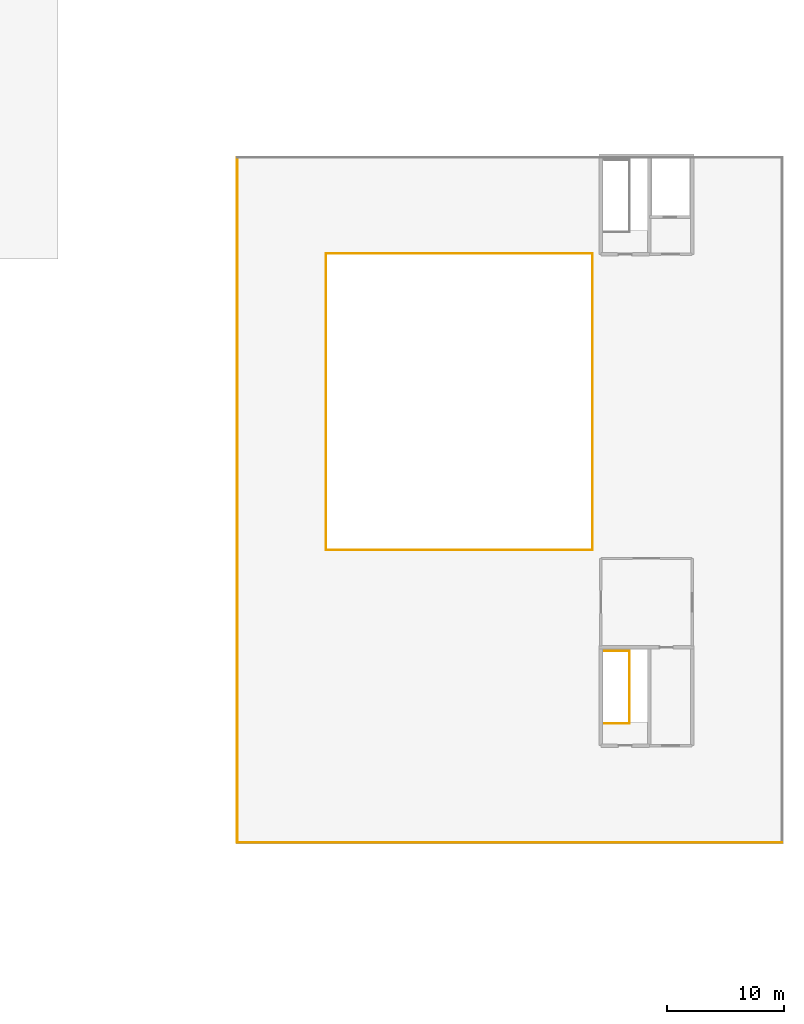
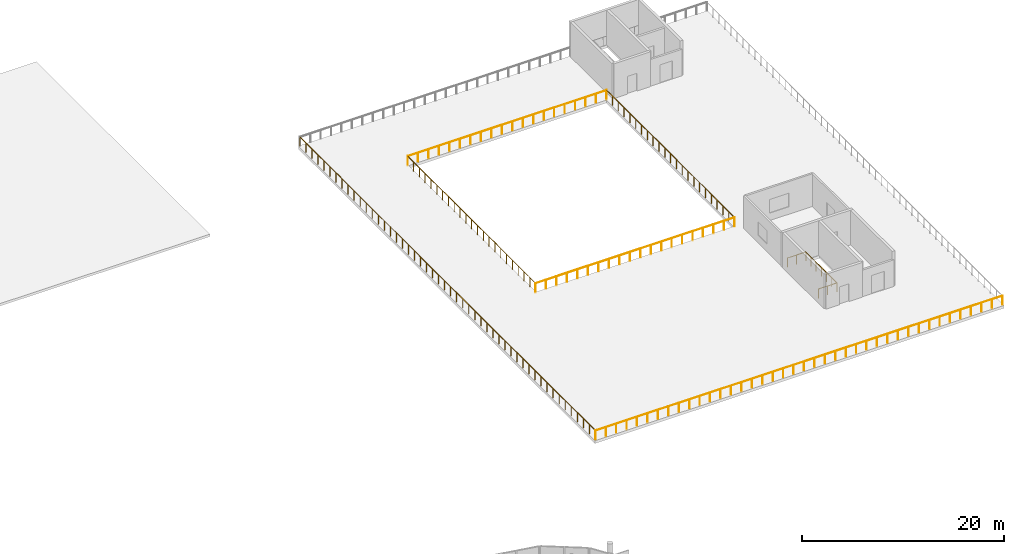
# One storey, part 62 of 63: 7 railings.
"""IFC4 building model written with IfcOpenShell, lengths in metres."""

from ifc_helpers import new_model, si_unit, direction, frame, origin, origin_2d, place, context, subcontext, project, spatial, hollow_rectangle, circle, hollow_circle, extrude, material, material_profile, profile_set, type_object, element, save


model = new_model("IFC4")

# Units and contexts
model_context = context("Model", 3, precision=1e-05, world=origin(), true_north=direction((0.0, 1.0)))
body_context = subcontext(model_context, "Body", "Model", "MODEL_VIEW")
ifc_project = project(units=[si_unit("LENGTHUNIT", "METRE"), si_unit("AREAUNIT", "SQUARE_METRE"), si_unit("VOLUMEUNIT", "CUBIC_METRE"), si_unit("PLANEANGLEUNIT", "RADIAN"), si_unit("MASSUNIT", "GRAM", prefix="KILO")], contexts=[model_context])

# Site, building, storey
site_placement = place(None, origin())
site = spatial("IfcSite", under=ifc_project, at=site_placement, CompositionType="ELEMENT")
building_placement = place(site_placement, origin())
building = spatial("IfcBuilding", under=site, at=building_placement, Name="Zizhar Promenade General Hospital", CompositionType="ELEMENT")
storey_placement = place(building_placement, frame((0.0, 0.0, 18.0)))
storey = spatial("IfcBuildingStorey", under=building, at=storey_placement, Name="L04", CompositionType="ELEMENT", Elevation=18.0)

# Railings
ifc_material_1 = material(Name="Steel S355", Category="steel")
ifc_material_profile_1 = material_profile(ifc_material_1, hollow_rectangle(XDim=0.06005859375, YDim=0.1201171875, WallThickness=0.00390625, at=origin_2d()))
ifc_profile_set_1 = profile_set([ifc_material_profile_1], Name="Steel S355")
railing_type_1 = type_object("IfcRailingType", Name="RL-GUARD-EXT-1150", PredefinedType="GUARDRAIL", material=ifc_profile_set_1)
railing_1_placement = place(storey_placement, frame((140.52001953125, 42.1201171875, 0.0)))
element("IfcRailing", 1, at=railing_1_placement, inside=storey, type_object=railing_type_1, Name="Perimeter Safety Guardrail L04-01", PredefinedType="GUARDRAIL", context=body_context, shape_type="SweptSolid", body=[
    extrude(circle(Radius=0.02392578125, at=origin_2d()), frame((0.0, 0.0, 1.1259765625), z_axis=(1.0, 0.0, 0.0), x_axis=(0.0, 1.0, 0.0)), (0.0, 0.0, 1.0), 46.56005859375),
    extrude(circle(Radius=0.02099609375, at=origin_2d()), origin(), (0.0, 0.0, 1.0), 1.101806640625),
    extrude(circle(Radius=0.02099609375, at=origin_2d()), frame((1.19384765625, 0.0, 0.0)), (0.0, 0.0, 1.0), 1.101806640625),
    extrude(circle(Radius=0.02099609375, at=origin_2d()), frame((2.3876953125, 0.0, 0.0)), (0.0, 0.0, 1.0), 1.101806640625),
    extrude(circle(Radius=0.02099609375, at=origin_2d()), frame((3.58154296875, 0.0, 0.0)), (0.0, 0.0, 1.0), 1.101806640625),
    extrude(circle(Radius=0.02099609375, at=origin_2d()), frame((4.775390625, 0.0, 0.0)), (0.0, 0.0, 1.0), 1.101806640625),
    extrude(circle(Radius=0.02099609375, at=origin_2d()), frame((5.96923828125, 0.0, 0.0)), (0.0, 0.0, 1.0), 1.101806640625),
    extrude(circle(Radius=0.02099609375, at=origin_2d()), frame((7.1630859375, 0.0, 0.0)), (0.0, 0.0, 1.0), 1.101806640625),
    extrude(circle(Radius=0.02099609375, at=origin_2d()), frame((8.35693359375, 0.0, 0.0)), (0.0, 0.0, 1.0), 1.101806640625),
    extrude(circle(Radius=0.02099609375, at=origin_2d()), frame((9.55078125, 0.0, 0.0)), (0.0, 0.0, 1.0), 1.101806640625),
    extrude(circle(Radius=0.02099609375, at=origin_2d()), frame((10.74462890625, 0.0, 0.0)), (0.0, 0.0, 1.0), 1.101806640625),
    extrude(circle(Radius=0.02099609375, at=origin_2d()), frame((11.9384765625, 0.0, 0.0)), (0.0, 0.0, 1.0), 1.101806640625),
    extrude(circle(Radius=0.02099609375, at=origin_2d()), frame((13.13232421875, 0.0, 0.0)), (0.0, 0.0, 1.0), 1.101806640625),
    extrude(circle(Radius=0.02099609375, at=origin_2d()), frame((14.326171875, 0.0, 0.0)), (0.0, 0.0, 1.0), 1.101806640625),
    extrude(circle(Radius=0.02099609375, at=origin_2d()), frame((15.52001953125, 0.0, 0.0)), (0.0, 0.0, 1.0), 1.101806640625),
    extrude(circle(Radius=0.02099609375, at=origin_2d()), frame((16.7138671875, 0.0, 0.0)), (0.0, 0.0, 1.0), 1.101806640625),
    extrude(circle(Radius=0.02099609375, at=origin_2d()), frame((17.90771484375, 0.0, 0.0)), (0.0, 0.0, 1.0), 1.101806640625),
    extrude(circle(Radius=0.02099609375, at=origin_2d()), frame((19.1015625, 0.0, 0.0)), (0.0, 0.0, 1.0), 1.101806640625),
    extrude(circle(Radius=0.02099609375, at=origin_2d()), frame((20.29541015625, 0.0, 0.0)), (0.0, 0.0, 1.0), 1.101806640625),
    extrude(circle(Radius=0.02099609375, at=origin_2d()), frame((21.4892578125, 0.0, 0.0)), (0.0, 0.0, 1.0), 1.101806640625),
    extrude(circle(Radius=0.02099609375, at=origin_2d()), frame((22.68310546875, 0.0, 0.0)), (0.0, 0.0, 1.0), 1.101806640625),
    extrude(circle(Radius=0.02099609375, at=origin_2d()), frame((23.876953125, 0.0, 0.0)), (0.0, 0.0, 1.0), 1.101806640625),
    extrude(circle(Radius=0.02099609375, at=origin_2d()), frame((25.07080078125, 0.0, 0.0)), (0.0, 0.0, 1.0), 1.101806640625),
    extrude(circle(Radius=0.02099609375, at=origin_2d()), frame((26.2646484375, 0.0, 0.0)), (0.0, 0.0, 1.0), 1.101806640625),
    extrude(circle(Radius=0.02099609375, at=origin_2d()), frame((27.45849609375, 0.0, 0.0)), (0.0, 0.0, 1.0), 1.101806640625),
    extrude(circle(Radius=0.02099609375, at=origin_2d()), frame((28.65234375, 0.0, 0.0)), (0.0, 0.0, 1.0), 1.101806640625),
    extrude(circle(Radius=0.02099609375, at=origin_2d()), frame((29.84619140625, 0.0, 0.0)), (0.0, 0.0, 1.0), 1.101806640625),
    extrude(circle(Radius=0.02099609375, at=origin_2d()), frame((31.0400390625, 0.0, 0.0)), (0.0, 0.0, 1.0), 1.101806640625),
    extrude(circle(Radius=0.02099609375, at=origin_2d()), frame((32.23388671875, 0.0, 0.0)), (0.0, 0.0, 1.0), 1.101806640625),
    extrude(circle(Radius=0.02099609375, at=origin_2d()), frame((33.427734375, 0.0, 0.0)), (0.0, 0.0, 1.0), 1.101806640625),
    extrude(circle(Radius=0.02099609375, at=origin_2d()), frame((34.62158203125, 0.0, 0.0)), (0.0, 0.0, 1.0), 1.101806640625),
    extrude(circle(Radius=0.02099609375, at=origin_2d()), frame((35.8154296875, 0.0, 0.0)), (0.0, 0.0, 1.0), 1.101806640625),
    extrude(circle(Radius=0.02099609375, at=origin_2d()), frame((37.00927734375, 0.0, 0.0)), (0.0, 0.0, 1.0), 1.101806640625),
    extrude(circle(Radius=0.02099609375, at=origin_2d()), frame((38.203125, 0.0, 0.0)), (0.0, 0.0, 1.0), 1.101806640625),
    extrude(circle(Radius=0.02099609375, at=origin_2d()), frame((39.39697265625, 0.0, 0.0)), (0.0, 0.0, 1.0), 1.101806640625),
    extrude(circle(Radius=0.02099609375, at=origin_2d()), frame((40.5908203125, 0.0, 0.0)), (0.0, 0.0, 1.0), 1.101806640625),
    extrude(circle(Radius=0.02099609375, at=origin_2d()), frame((41.78466796875, 0.0, 0.0)), (0.0, 0.0, 1.0), 1.101806640625),
    extrude(circle(Radius=0.02099609375, at=origin_2d()), frame((42.978515625, 0.0, 0.0)), (0.0, 0.0, 1.0), 1.101806640625),
    extrude(circle(Radius=0.02099609375, at=origin_2d()), frame((44.17236328125, 0.0, 0.0)), (0.0, 0.0, 1.0), 1.101806640625),
    extrude(circle(Radius=0.02099609375, at=origin_2d()), frame((45.3662109375, 0.0, 0.0)), (0.0, 0.0, 1.0), 1.101806640625),
    extrude(circle(Radius=0.02099609375, at=origin_2d()), frame((46.56005859375, 0.0, 0.0)), (0.0, 0.0, 1.0), 1.101806640625),
])
railing_2_placement = place(storey_placement, frame((140.52001953125, 100.679931640625, 0.0)))
element("IfcRailing", 2, at=railing_2_placement, inside=storey, type_object=railing_type_1, Name="Perimeter Safety Guardrail L04-04", PredefinedType="GUARDRAIL", context=body_context, shape_type="SweptSolid", body=[
    extrude(circle(Radius=0.02392578125, at=origin_2d()), frame((0.0, 0.0, 1.1259765625), z_axis=(0.0, -1.0, 0.0), x_axis=(1.0, 0.0, 0.0)), (0.0, 0.0, 1.0), 58.559814453125),
    extrude(circle(Radius=0.02099609375, at=origin_2d()), origin(), (0.0, 0.0, 1.0), 1.101806640625),
    extrude(circle(Radius=0.02099609375, at=origin_2d()), frame((0.0, -1.195068359375, 0.0)), (0.0, 0.0, 1.0), 1.101806640625),
    extrude(circle(Radius=0.02099609375, at=origin_2d()), frame((0.0, -2.39013671875, 0.0)), (0.0, 0.0, 1.0), 1.101806640625),
    extrude(circle(Radius=0.02099609375, at=origin_2d()), frame((0.0, -3.585205078125, 0.0)), (0.0, 0.0, 1.0), 1.101806640625),
    extrude(circle(Radius=0.02099609375, at=origin_2d()), frame((0.0, -4.7802734375, 0.0)), (0.0, 0.0, 1.0), 1.101806640625),
    extrude(circle(Radius=0.02099609375, at=origin_2d()), frame((0.0, -5.9755859375, 0.0)), (0.0, 0.0, 1.0), 1.101806640625),
    extrude(circle(Radius=0.02099609375, at=origin_2d()), frame((0.0, -7.170654296875, 0.0)), (0.0, 0.0, 1.0), 1.101806640625),
    extrude(circle(Radius=0.02099609375, at=origin_2d()), frame((0.0, -8.36572265625, 0.0)), (0.0, 0.0, 1.0), 1.101806640625),
    extrude(circle(Radius=0.02099609375, at=origin_2d()), frame((0.0, -9.560791015625, 0.0)), (0.0, 0.0, 1.0), 1.101806640625),
    extrude(circle(Radius=0.02099609375, at=origin_2d()), frame((0.0, -10.755859375, 0.0)), (0.0, 0.0, 1.0), 1.101806640625),
    extrude(circle(Radius=0.02099609375, at=origin_2d()), frame((0.0, -11.950927734375, 0.0)), (0.0, 0.0, 1.0), 1.101806640625),
    extrude(circle(Radius=0.02099609375, at=origin_2d()), frame((0.0, -13.14599609375, 0.0)), (0.0, 0.0, 1.0), 1.101806640625),
    extrude(circle(Radius=0.02099609375, at=origin_2d()), frame((0.0, -14.341064453125, 0.0)), (0.0, 0.0, 1.0), 1.101806640625),
    extrude(circle(Radius=0.02099609375, at=origin_2d()), frame((0.0, -15.536376953125, 0.0)), (0.0, 0.0, 1.0), 1.101806640625),
    extrude(circle(Radius=0.02099609375, at=origin_2d()), frame((0.0, -16.7314453125, 0.0)), (0.0, 0.0, 1.0), 1.101806640625),
    extrude(circle(Radius=0.02099609375, at=origin_2d()), frame((0.0, -17.926513671875, 0.0)), (0.0, 0.0, 1.0), 1.101806640625),
    extrude(circle(Radius=0.02099609375, at=origin_2d()), frame((0.0, -19.12158203125, 0.0)), (0.0, 0.0, 1.0), 1.101806640625),
    extrude(circle(Radius=0.02099609375, at=origin_2d()), frame((0.0, -20.316650390625, 0.0)), (0.0, 0.0, 1.0), 1.101806640625),
    extrude(circle(Radius=0.02099609375, at=origin_2d()), frame((0.0, -21.51171875, 0.0)), (0.0, 0.0, 1.0), 1.101806640625),
    extrude(circle(Radius=0.02099609375, at=origin_2d()), frame((0.0, -22.706787109375, 0.0)), (0.0, 0.0, 1.0), 1.101806640625),
    extrude(circle(Radius=0.02099609375, at=origin_2d()), frame((0.0, -23.90185546875, 0.0)), (0.0, 0.0, 1.0), 1.101806640625),
    extrude(circle(Radius=0.02099609375, at=origin_2d()), frame((0.0, -25.09716796875, 0.0)), (0.0, 0.0, 1.0), 1.101806640625),
    extrude(circle(Radius=0.02099609375, at=origin_2d()), frame((0.0, -26.292236328125, 0.0)), (0.0, 0.0, 1.0), 1.101806640625),
    extrude(circle(Radius=0.02099609375, at=origin_2d()), frame((0.0, -27.4873046875, 0.0)), (0.0, 0.0, 1.0), 1.101806640625),
    extrude(circle(Radius=0.02099609375, at=origin_2d()), frame((0.0, -28.682373046875, 0.0)), (0.0, 0.0, 1.0), 1.101806640625),
    extrude(circle(Radius=0.02099609375, at=origin_2d()), frame((0.0, -29.87744140625, 0.0)), (0.0, 0.0, 1.0), 1.101806640625),
    extrude(circle(Radius=0.02099609375, at=origin_2d()), frame((0.0, -31.072509765625, 0.0)), (0.0, 0.0, 1.0), 1.101806640625),
    extrude(circle(Radius=0.02099609375, at=origin_2d()), frame((0.0, -32.267578125, 0.0)), (0.0, 0.0, 1.0), 1.101806640625),
    extrude(circle(Radius=0.02099609375, at=origin_2d()), frame((0.0, -33.462646484375, 0.0)), (0.0, 0.0, 1.0), 1.101806640625),
    extrude(circle(Radius=0.02099609375, at=origin_2d()), frame((0.0, -34.657958984375, 0.0)), (0.0, 0.0, 1.0), 1.101806640625),
    extrude(circle(Radius=0.02099609375, at=origin_2d()), frame((0.0, -35.85302734375, 0.0)), (0.0, 0.0, 1.0), 1.101806640625),
    extrude(circle(Radius=0.02099609375, at=origin_2d()), frame((0.0, -37.048095703125, 0.0)), (0.0, 0.0, 1.0), 1.101806640625),
    extrude(circle(Radius=0.02099609375, at=origin_2d()), frame((0.0, -38.2431640625, 0.0)), (0.0, 0.0, 1.0), 1.101806640625),
    extrude(circle(Radius=0.02099609375, at=origin_2d()), frame((0.0, -39.438232421875, 0.0)), (0.0, 0.0, 1.0), 1.101806640625),
    extrude(circle(Radius=0.02099609375, at=origin_2d()), frame((0.0, -40.63330078125, 0.0)), (0.0, 0.0, 1.0), 1.101806640625),
    extrude(circle(Radius=0.02099609375, at=origin_2d()), frame((0.0, -41.828369140625, 0.0)), (0.0, 0.0, 1.0), 1.101806640625),
    extrude(circle(Radius=0.02099609375, at=origin_2d()), frame((0.0, -43.0234375, 0.0)), (0.0, 0.0, 1.0), 1.101806640625),
    extrude(circle(Radius=0.02099609375, at=origin_2d()), frame((0.0, -44.21875, 0.0)), (0.0, 0.0, 1.0), 1.101806640625),
    extrude(circle(Radius=0.02099609375, at=origin_2d()), frame((0.0, -45.413818359375, 0.0)), (0.0, 0.0, 1.0), 1.101806640625),
    extrude(circle(Radius=0.02099609375, at=origin_2d()), frame((0.0, -46.60888671875, 0.0)), (0.0, 0.0, 1.0), 1.101806640625),
    extrude(circle(Radius=0.02099609375, at=origin_2d()), frame((0.0, -47.803955078125, 0.0)), (0.0, 0.0, 1.0), 1.101806640625),
    extrude(circle(Radius=0.02099609375, at=origin_2d()), frame((0.0, -48.9990234375, 0.0)), (0.0, 0.0, 1.0), 1.101806640625),
    extrude(circle(Radius=0.02099609375, at=origin_2d()), frame((0.0, -50.194091796875, 0.0)), (0.0, 0.0, 1.0), 1.101806640625),
    extrude(circle(Radius=0.02099609375, at=origin_2d()), frame((0.0, -51.38916015625, 0.0)), (0.0, 0.0, 1.0), 1.101806640625),
    extrude(circle(Radius=0.02099609375, at=origin_2d()), frame((0.0, -52.584228515625, 0.0)), (0.0, 0.0, 1.0), 1.101806640625),
    extrude(circle(Radius=0.02099609375, at=origin_2d()), frame((0.0, -53.779541015625, 0.0)), (0.0, 0.0, 1.0), 1.101806640625),
    extrude(circle(Radius=0.02099609375, at=origin_2d()), frame((0.0, -54.974609375, 0.0)), (0.0, 0.0, 1.0), 1.101806640625),
    extrude(circle(Radius=0.02099609375, at=origin_2d()), frame((0.0, -56.169677734375, 0.0)), (0.0, 0.0, 1.0), 1.101806640625),
    extrude(circle(Radius=0.02099609375, at=origin_2d()), frame((0.0, -57.36474609375, 0.0)), (0.0, 0.0, 1.0), 1.101806640625),
    extrude(circle(Radius=0.02099609375, at=origin_2d()), frame((0.0, -58.559814453125, 0.0)), (0.0, 0.0, 1.0), 1.101806640625),
])
railing_3_placement = place(storey_placement, frame((148.1201171875, 67.1201171875, 0.0)))
element("IfcRailing", 3, at=railing_3_placement, inside=storey, type_object=railing_type_1, Name="Perimeter Safety Guardrail L04-01", PredefinedType="GUARDRAIL", context=body_context, shape_type="SweptSolid", body=[
    extrude(circle(Radius=0.02392578125, at=origin_2d()), frame((0.0, 0.0, 1.1259765625), z_axis=(1.0, 0.0, 0.0), x_axis=(0.0, 1.0, 0.0)), (0.0, 0.0, 1.0), 22.759765625),
    extrude(circle(Radius=0.02099609375, at=origin_2d()), origin(), (0.0, 0.0, 1.0), 1.101806640625),
    extrude(circle(Radius=0.02099609375, at=origin_2d()), frame((1.197998046875, 0.0, 0.0)), (0.0, 0.0, 1.0), 1.101806640625),
    extrude(circle(Radius=0.02099609375, at=origin_2d()), frame((2.395751953125, 0.0, 0.0)), (0.0, 0.0, 1.0), 1.101806640625),
    extrude(circle(Radius=0.02099609375, at=origin_2d()), frame((3.59375, 0.0, 0.0)), (0.0, 0.0, 1.0), 1.101806640625),
    extrude(circle(Radius=0.02099609375, at=origin_2d()), frame((4.79150390625, 0.0, 0.0)), (0.0, 0.0, 1.0), 1.101806640625),
    extrude(circle(Radius=0.02099609375, at=origin_2d()), frame((5.989501953125, 0.0, 0.0)), (0.0, 0.0, 1.0), 1.101806640625),
    extrude(circle(Radius=0.02099609375, at=origin_2d()), frame((7.187255859375, 0.0, 0.0)), (0.0, 0.0, 1.0), 1.101806640625),
    extrude(circle(Radius=0.02099609375, at=origin_2d()), frame((8.38525390625, 0.0, 0.0)), (0.0, 0.0, 1.0), 1.101806640625),
    extrude(circle(Radius=0.02099609375, at=origin_2d()), frame((9.5830078125, 0.0, 0.0)), (0.0, 0.0, 1.0), 1.101806640625),
    extrude(circle(Radius=0.02099609375, at=origin_2d()), frame((10.781005859375, 0.0, 0.0)), (0.0, 0.0, 1.0), 1.101806640625),
    extrude(circle(Radius=0.02099609375, at=origin_2d()), frame((11.978759765625, 0.0, 0.0)), (0.0, 0.0, 1.0), 1.101806640625),
    extrude(circle(Radius=0.02099609375, at=origin_2d()), frame((13.1767578125, 0.0, 0.0)), (0.0, 0.0, 1.0), 1.101806640625),
    extrude(circle(Radius=0.02099609375, at=origin_2d()), frame((14.37451171875, 0.0, 0.0)), (0.0, 0.0, 1.0), 1.101806640625),
    extrude(circle(Radius=0.02099609375, at=origin_2d()), frame((15.572509765625, 0.0, 0.0)), (0.0, 0.0, 1.0), 1.101806640625),
    extrude(circle(Radius=0.02099609375, at=origin_2d()), frame((16.770263671875, 0.0, 0.0)), (0.0, 0.0, 1.0), 1.101806640625),
    extrude(circle(Radius=0.02099609375, at=origin_2d()), frame((17.96826171875, 0.0, 0.0)), (0.0, 0.0, 1.0), 1.101806640625),
    extrude(circle(Radius=0.02099609375, at=origin_2d()), frame((19.166015625, 0.0, 0.0)), (0.0, 0.0, 1.0), 1.101806640625),
    extrude(circle(Radius=0.02099609375, at=origin_2d()), frame((20.364013671875, 0.0, 0.0)), (0.0, 0.0, 1.0), 1.101806640625),
    extrude(circle(Radius=0.02099609375, at=origin_2d()), frame((21.561767578125, 0.0, 0.0)), (0.0, 0.0, 1.0), 1.101806640625),
    extrude(circle(Radius=0.02099609375, at=origin_2d()), frame((22.759765625, 0.0, 0.0)), (0.0, 0.0, 1.0), 1.101806640625),
])
railing_4_placement = place(storey_placement, frame((170.8798828125, 67.1201171875, 0.0)))
element("IfcRailing", 4, at=railing_4_placement, inside=storey, type_object=railing_type_1, Name="Perimeter Safety Guardrail L04-02", PredefinedType="GUARDRAIL", context=body_context, shape_type="SweptSolid", body=[
    extrude(circle(Radius=0.02392578125, at=origin_2d()), frame((0.0, 0.0, 1.1259765625), z_axis=(0.0, 1.0, 0.0), x_axis=(-1.0, 0.0, 0.0)), (0.0, 0.0, 1.0), 25.35986328125),
    extrude(circle(Radius=0.02099609375, at=origin_2d()), origin(), (0.0, 0.0, 1.0), 1.101806640625),
    extrude(circle(Radius=0.02099609375, at=origin_2d()), frame((0.0, 1.15283203125, 0.0)), (0.0, 0.0, 1.0), 1.101806640625),
    extrude(circle(Radius=0.02099609375, at=origin_2d()), frame((0.0, 2.305419921875, 0.0)), (0.0, 0.0, 1.0), 1.101806640625),
    extrude(circle(Radius=0.02099609375, at=origin_2d()), frame((0.0, 3.458251953125, 0.0)), (0.0, 0.0, 1.0), 1.101806640625),
    extrude(circle(Radius=0.02099609375, at=origin_2d()), frame((0.0, 4.61083984375, 0.0)), (0.0, 0.0, 1.0), 1.101806640625),
    extrude(circle(Radius=0.02099609375, at=origin_2d()), frame((0.0, 5.763671875, 0.0)), (0.0, 0.0, 1.0), 1.101806640625),
    extrude(circle(Radius=0.02099609375, at=origin_2d()), frame((0.0, 6.916259765625, 0.0)), (0.0, 0.0, 1.0), 1.101806640625),
    extrude(circle(Radius=0.02099609375, at=origin_2d()), frame((0.0, 8.069091796875, 0.0)), (0.0, 0.0, 1.0), 1.101806640625),
    extrude(circle(Radius=0.02099609375, at=origin_2d()), frame((0.0, 9.2216796875, 0.0)), (0.0, 0.0, 1.0), 1.101806640625),
    extrude(circle(Radius=0.02099609375, at=origin_2d()), frame((0.0, 10.37451171875, 0.0)), (0.0, 0.0, 1.0), 1.101806640625),
    extrude(circle(Radius=0.02099609375, at=origin_2d()), frame((0.0, 11.527099609375, 0.0)), (0.0, 0.0, 1.0), 1.101806640625),
    extrude(circle(Radius=0.02099609375, at=origin_2d()), frame((0.0, 12.679931640625, 0.0)), (0.0, 0.0, 1.0), 1.101806640625),
    extrude(circle(Radius=0.02099609375, at=origin_2d()), frame((0.0, 13.832763671875, 0.0)), (0.0, 0.0, 1.0), 1.101806640625),
    extrude(circle(Radius=0.02099609375, at=origin_2d()), frame((0.0, 14.9853515625, 0.0)), (0.0, 0.0, 1.0), 1.101806640625),
    extrude(circle(Radius=0.02099609375, at=origin_2d()), frame((0.0, 16.13818359375, 0.0)), (0.0, 0.0, 1.0), 1.101806640625),
    extrude(circle(Radius=0.02099609375, at=origin_2d()), frame((0.0, 17.290771484375, 0.0)), (0.0, 0.0, 1.0), 1.101806640625),
    extrude(circle(Radius=0.02099609375, at=origin_2d()), frame((0.0, 18.443603515625, 0.0)), (0.0, 0.0, 1.0), 1.101806640625),
    extrude(circle(Radius=0.02099609375, at=origin_2d()), frame((0.0, 19.59619140625, 0.0)), (0.0, 0.0, 1.0), 1.101806640625),
    extrude(circle(Radius=0.02099609375, at=origin_2d()), frame((0.0, 20.7490234375, 0.0)), (0.0, 0.0, 1.0), 1.101806640625),
    extrude(circle(Radius=0.02099609375, at=origin_2d()), frame((0.0, 21.901611328125, 0.0)), (0.0, 0.0, 1.0), 1.101806640625),
    extrude(circle(Radius=0.02099609375, at=origin_2d()), frame((0.0, 23.054443359375, 0.0)), (0.0, 0.0, 1.0), 1.101806640625),
    extrude(circle(Radius=0.02099609375, at=origin_2d()), frame((0.0, 24.20703125, 0.0)), (0.0, 0.0, 1.0), 1.101806640625),
    extrude(circle(Radius=0.02099609375, at=origin_2d()), frame((0.0, 25.35986328125, 0.0)), (0.0, 0.0, 1.0), 1.101806640625),
])
railing_5_placement = place(storey_placement, frame((170.8798828125, 92.47998046875, 0.0)))
element("IfcRailing", 5, at=railing_5_placement, inside=storey, type_object=railing_type_1, Name="Perimeter Safety Guardrail L04-03", PredefinedType="GUARDRAIL", context=body_context, shape_type="SweptSolid", body=[
    extrude(circle(Radius=0.02392578125, at=origin_2d()), frame((0.0, 0.0, 1.1259765625), z_axis=(-1.0, 0.0, 0.0), x_axis=(0.0, -1.0, 0.0)), (0.0, 0.0, 1.0), 22.759765625),
    extrude(circle(Radius=0.02099609375, at=origin_2d()), origin(), (0.0, 0.0, 1.0), 1.101806640625),
    extrude(circle(Radius=0.02099609375, at=origin_2d()), frame((-1.197998046875, 0.0, 0.0)), (0.0, 0.0, 1.0), 1.101806640625),
    extrude(circle(Radius=0.02099609375, at=origin_2d()), frame((-2.395751953125, 0.0, 0.0)), (0.0, 0.0, 1.0), 1.101806640625),
    extrude(circle(Radius=0.02099609375, at=origin_2d()), frame((-3.59375, 0.0, 0.0)), (0.0, 0.0, 1.0), 1.101806640625),
    extrude(circle(Radius=0.02099609375, at=origin_2d()), frame((-4.79150390625, 0.0, 0.0)), (0.0, 0.0, 1.0), 1.101806640625),
    extrude(circle(Radius=0.02099609375, at=origin_2d()), frame((-5.989501953125, 0.0, 0.0)), (0.0, 0.0, 1.0), 1.101806640625),
    extrude(circle(Radius=0.02099609375, at=origin_2d()), frame((-7.187255859375, 0.0, 0.0)), (0.0, 0.0, 1.0), 1.101806640625),
    extrude(circle(Radius=0.02099609375, at=origin_2d()), frame((-8.38525390625, 0.0, 0.0)), (0.0, 0.0, 1.0), 1.101806640625),
    extrude(circle(Radius=0.02099609375, at=origin_2d()), frame((-9.5830078125, 0.0, 0.0)), (0.0, 0.0, 1.0), 1.101806640625),
    extrude(circle(Radius=0.02099609375, at=origin_2d()), frame((-10.781005859375, 0.0, 0.0)), (0.0, 0.0, 1.0), 1.101806640625),
    extrude(circle(Radius=0.02099609375, at=origin_2d()), frame((-11.978759765625, 0.0, 0.0)), (0.0, 0.0, 1.0), 1.101806640625),
    extrude(circle(Radius=0.02099609375, at=origin_2d()), frame((-13.1767578125, 0.0, 0.0)), (0.0, 0.0, 1.0), 1.101806640625),
    extrude(circle(Radius=0.02099609375, at=origin_2d()), frame((-14.37451171875, 0.0, 0.0)), (0.0, 0.0, 1.0), 1.101806640625),
    extrude(circle(Radius=0.02099609375, at=origin_2d()), frame((-15.572509765625, 0.0, 0.0)), (0.0, 0.0, 1.0), 1.101806640625),
    extrude(circle(Radius=0.02099609375, at=origin_2d()), frame((-16.770263671875, 0.0, 0.0)), (0.0, 0.0, 1.0), 1.101806640625),
    extrude(circle(Radius=0.02099609375, at=origin_2d()), frame((-17.96826171875, 0.0, 0.0)), (0.0, 0.0, 1.0), 1.101806640625),
    extrude(circle(Radius=0.02099609375, at=origin_2d()), frame((-19.166015625, 0.0, 0.0)), (0.0, 0.0, 1.0), 1.101806640625),
    extrude(circle(Radius=0.02099609375, at=origin_2d()), frame((-20.364013671875, 0.0, 0.0)), (0.0, 0.0, 1.0), 1.101806640625),
    extrude(circle(Radius=0.02099609375, at=origin_2d()), frame((-21.561767578125, 0.0, 0.0)), (0.0, 0.0, 1.0), 1.101806640625),
    extrude(circle(Radius=0.02099609375, at=origin_2d()), frame((-22.759765625, 0.0, 0.0)), (0.0, 0.0, 1.0), 1.101806640625),
])
railing_6_placement = place(storey_placement, frame((148.1201171875, 92.47998046875, 0.0)))
element("IfcRailing", 6, at=railing_6_placement, inside=storey, type_object=railing_type_1, Name="Perimeter Safety Guardrail L04-04", PredefinedType="GUARDRAIL", context=body_context, shape_type="SweptSolid", body=[
    extrude(circle(Radius=0.02392578125, at=origin_2d()), frame((0.0, 0.0, 1.1259765625), z_axis=(0.0, -1.0, 0.0), x_axis=(1.0, 0.0, 0.0)), (0.0, 0.0, 1.0), 25.35986328125),
    extrude(circle(Radius=0.02099609375, at=origin_2d()), origin(), (0.0, 0.0, 1.0), 1.101806640625),
    extrude(circle(Radius=0.02099609375, at=origin_2d()), frame((0.0, -1.15283203125, 0.0)), (0.0, 0.0, 1.0), 1.101806640625),
    extrude(circle(Radius=0.02099609375, at=origin_2d()), frame((0.0, -2.305419921875, 0.0)), (0.0, 0.0, 1.0), 1.101806640625),
    extrude(circle(Radius=0.02099609375, at=origin_2d()), frame((0.0, -3.458251953125, 0.0)), (0.0, 0.0, 1.0), 1.101806640625),
    extrude(circle(Radius=0.02099609375, at=origin_2d()), frame((0.0, -4.61083984375, 0.0)), (0.0, 0.0, 1.0), 1.101806640625),
    extrude(circle(Radius=0.02099609375, at=origin_2d()), frame((0.0, -5.763671875, 0.0)), (0.0, 0.0, 1.0), 1.101806640625),
    extrude(circle(Radius=0.02099609375, at=origin_2d()), frame((0.0, -6.916259765625, 0.0)), (0.0, 0.0, 1.0), 1.101806640625),
    extrude(circle(Radius=0.02099609375, at=origin_2d()), frame((0.0, -8.069091796875, 0.0)), (0.0, 0.0, 1.0), 1.101806640625),
    extrude(circle(Radius=0.02099609375, at=origin_2d()), frame((0.0, -9.2216796875, 0.0)), (0.0, 0.0, 1.0), 1.101806640625),
    extrude(circle(Radius=0.02099609375, at=origin_2d()), frame((0.0, -10.37451171875, 0.0)), (0.0, 0.0, 1.0), 1.101806640625),
    extrude(circle(Radius=0.02099609375, at=origin_2d()), frame((0.0, -11.527099609375, 0.0)), (0.0, 0.0, 1.0), 1.101806640625),
    extrude(circle(Radius=0.02099609375, at=origin_2d()), frame((0.0, -12.679931640625, 0.0)), (0.0, 0.0, 1.0), 1.101806640625),
    extrude(circle(Radius=0.02099609375, at=origin_2d()), frame((0.0, -13.832763671875, 0.0)), (0.0, 0.0, 1.0), 1.101806640625),
    extrude(circle(Radius=0.02099609375, at=origin_2d()), frame((0.0, -14.9853515625, 0.0)), (0.0, 0.0, 1.0), 1.101806640625),
    extrude(circle(Radius=0.02099609375, at=origin_2d()), frame((0.0, -16.13818359375, 0.0)), (0.0, 0.0, 1.0), 1.101806640625),
    extrude(circle(Radius=0.02099609375, at=origin_2d()), frame((0.0, -17.290771484375, 0.0)), (0.0, 0.0, 1.0), 1.101806640625),
    extrude(circle(Radius=0.02099609375, at=origin_2d()), frame((0.0, -18.443603515625, 0.0)), (0.0, 0.0, 1.0), 1.101806640625),
    extrude(circle(Radius=0.02099609375, at=origin_2d()), frame((0.0, -19.59619140625, 0.0)), (0.0, 0.0, 1.0), 1.101806640625),
    extrude(circle(Radius=0.02099609375, at=origin_2d()), frame((0.0, -20.7490234375, 0.0)), (0.0, 0.0, 1.0), 1.101806640625),
    extrude(circle(Radius=0.02099609375, at=origin_2d()), frame((0.0, -21.901611328125, 0.0)), (0.0, 0.0, 1.0), 1.101806640625),
    extrude(circle(Radius=0.02099609375, at=origin_2d()), frame((0.0, -23.054443359375, 0.0)), (0.0, 0.0, 1.0), 1.101806640625),
    extrude(circle(Radius=0.02099609375, at=origin_2d()), frame((0.0, -24.20703125, 0.0)), (0.0, 0.0, 1.0), 1.101806640625),
    extrude(circle(Radius=0.02099609375, at=origin_2d()), frame((0.0, -25.35986328125, 0.0)), (0.0, 0.0, 1.0), 1.101806640625),
])
ifc_material_2 = material(Name="Steel S355", Category="steel")
ifc_material_profile_2 = material_profile(ifc_material_2, hollow_circle(Radius=0.06982421875, WallThickness=0.00634765625, at=origin_2d()))
ifc_profile_set_2 = profile_set([ifc_material_profile_2], Name="Steel S355")
railing_type_2 = type_object("IfcRailingType", Name="RL-STAIR-GUARD-1100", PredefinedType="GUARDRAIL", material=ifc_profile_set_2)
railing_7_placement = place(storey_placement, frame((171.919921875, 52.31005859375, 0.0)))
element("IfcRailing", 7, at=railing_7_placement, inside=storey, type_object=railing_type_2, Name="Stair ST-09 Top Well Guard (L04)", PredefinedType="GUARDRAIL", context=body_context, shape_type="SweptSolid", body=[
    extrude(circle(Radius=0.02392578125, at=origin_2d()), frame((0.0, 0.0, 1.076171875), z_axis=(1.0, 0.0, 0.0), x_axis=(0.0, 1.0, 0.0)), (0.0, 0.0, 1.0), 2.1201171875),
    extrude(circle(Radius=0.02392578125, at=origin_2d()), frame((2.1201171875, 0.0, 1.076171875), z_axis=(0.0, 1.0, 0.0), x_axis=(-1.0, 0.0, 0.0)), (0.0, 0.0, 1.0), 6.169921875),
    extrude(circle(Radius=0.02392578125, at=origin_2d()), frame((2.1201171875, 6.169921875, 1.076171875), z_axis=(-1.0, 0.0, 0.0), x_axis=(0.0, -1.0, 0.0)), (0.0, 0.0, 1.0), 2.1201171875),
    extrude(circle(Radius=0.02099609375, at=origin_2d()), origin(), (0.0, 0.0, 1.0), 1.052001953125),
    extrude(circle(Radius=0.02099609375, at=origin_2d()), frame((1.06005859375, 0.0, 0.0)), (0.0, 0.0, 1.0), 1.052001953125),
    extrude(circle(Radius=0.02099609375, at=origin_2d()), frame((2.1201171875, 0.0, 0.0)), (0.0, 0.0, 1.0), 1.052001953125),
    extrude(circle(Radius=0.02099609375, at=origin_2d()), frame((2.1201171875, 1.0283203125, 0.0)), (0.0, 0.0, 1.0), 1.052001953125),
    extrude(circle(Radius=0.02099609375, at=origin_2d()), frame((2.1201171875, 2.056640625, 0.0)), (0.0, 0.0, 1.0), 1.052001953125),
    extrude(circle(Radius=0.02099609375, at=origin_2d()), frame((2.1201171875, 3.0849609375, 0.0)), (0.0, 0.0, 1.0), 1.052001953125),
    extrude(circle(Radius=0.02099609375, at=origin_2d()), frame((2.1201171875, 4.11328125, 0.0)), (0.0, 0.0, 1.0), 1.052001953125),
    extrude(circle(Radius=0.02099609375, at=origin_2d()), frame((2.1201171875, 5.1416015625, 0.0)), (0.0, 0.0, 1.0), 1.052001953125),
    extrude(circle(Radius=0.02099609375, at=origin_2d()), frame((2.1201171875, 6.169921875, 0.0)), (0.0, 0.0, 1.0), 1.052001953125),
    extrude(circle(Radius=0.02099609375, at=origin_2d()), frame((1.06005859375, 6.169921875, 0.0)), (0.0, 0.0, 1.0), 1.052001953125),
    extrude(circle(Radius=0.02099609375, at=origin_2d()), frame((0.0, 6.169921875, 0.0)), (0.0, 0.0, 1.0), 1.052001953125),
])

save(model, "model.ifc")
